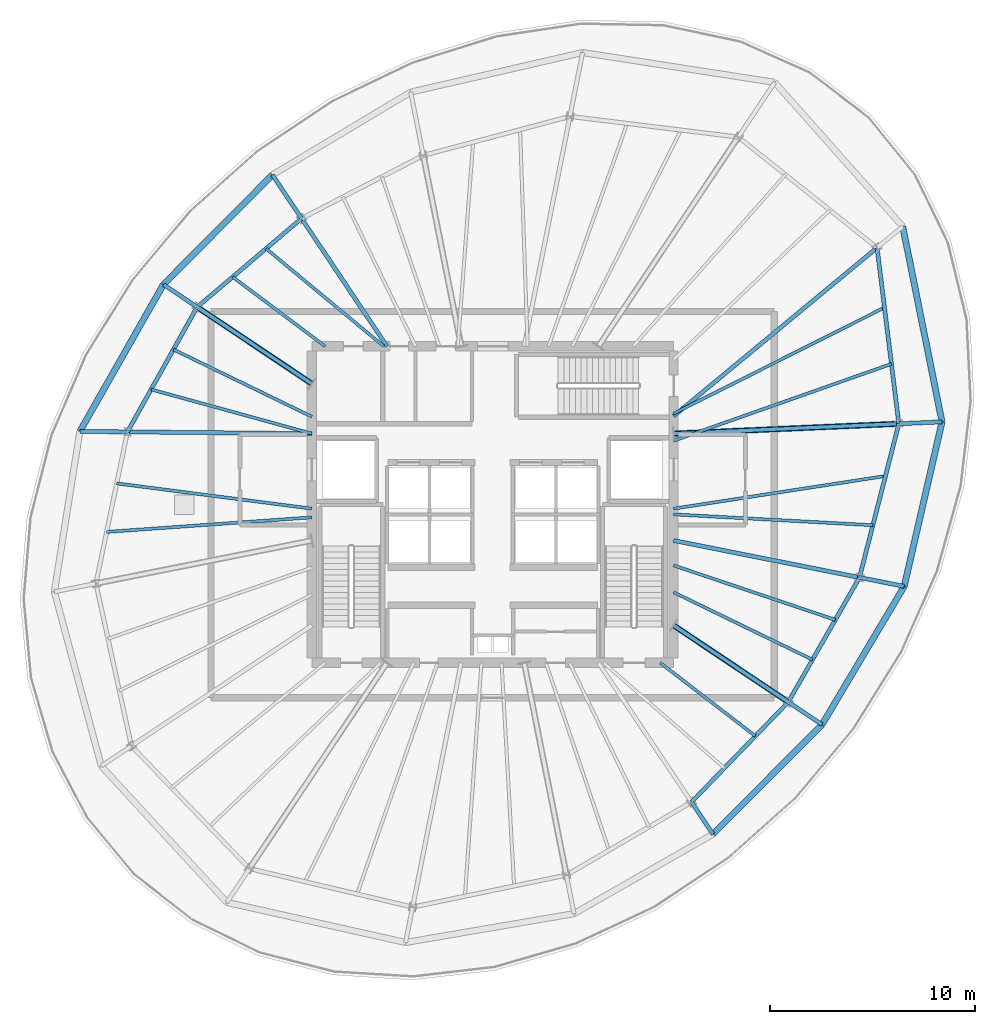
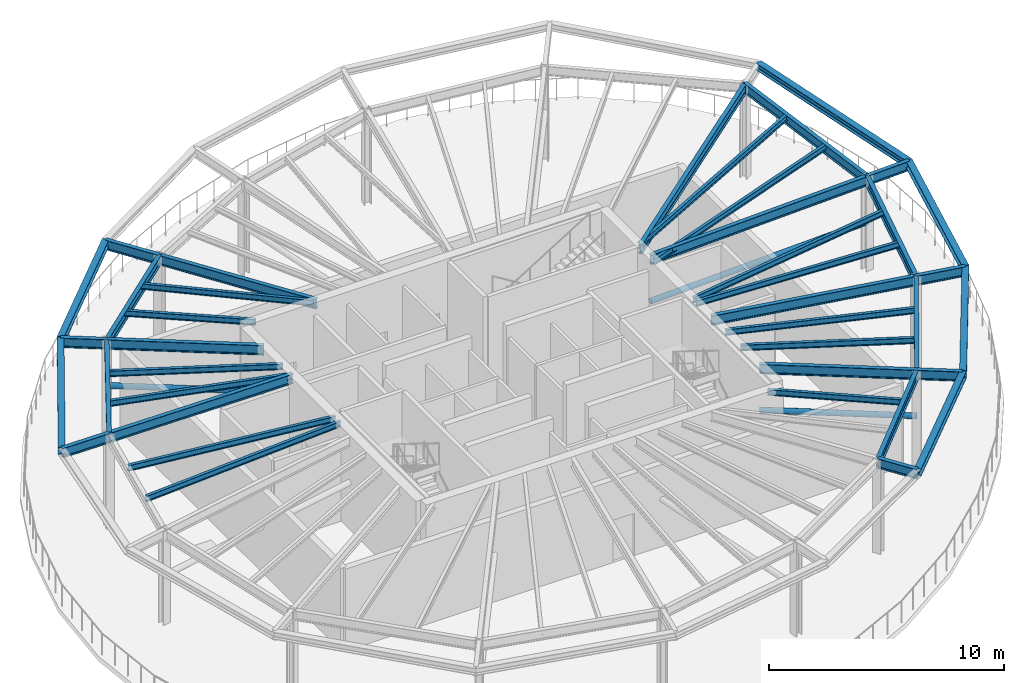
# One storey, part 2 of 8: 39 beams, 3 members.
"""IFC4 building model written with IfcOpenShell, lengths in metres."""

from ifc_helpers import new_model, si_unit, direction, frame, origin, origin_2d, place, context, subcontext, project, spatial, hollow_circle, i_section, extrude, source, transform, mapped, material, material_profile, profile_set, type_object, element, save


model = new_model("IFC4")

# Units and contexts
model_context = context("Model", 3, precision=1e-05, world=origin(), true_north=direction((0.0, 1.0)))
body_context = subcontext(model_context, "Body", "Model", "MODEL_VIEW")
ifc_project = project(units=[si_unit("LENGTHUNIT", "METRE"), si_unit("AREAUNIT", "SQUARE_METRE"), si_unit("VOLUMEUNIT", "CUBIC_METRE"), si_unit("PLANEANGLEUNIT", "RADIAN"), si_unit("MASSUNIT", "GRAM", prefix="KILO"), si_unit("THERMODYNAMICTEMPERATUREUNIT", "KELVIN")], contexts=[model_context])

# Site, building, storey
site_placement = place(None, origin())
site = spatial("IfcSite", under=ifc_project, at=site_placement, CompositionType="ELEMENT")
building_placement = place(site_placement, origin())
building = spatial("IfcBuilding", under=site, at=building_placement, Name="Kethvar Cultural Tower", CompositionType="ELEMENT")
storey_placement = place(building_placement, frame((0.0, 0.0, 218.39990234375)))
storey = spatial("IfcBuildingStorey", under=building, at=storey_placement, Name="L57", CompositionType="ELEMENT", Elevation=218.39990234375)

# Beams
ifc_material = material(Name="Steel S355J2", Category="steel")
ifc_material_profile_1 = material_profile(ifc_material, i_section(OverallWidth=0.199951171875, OverallDepth=0.5, WebThickness=0.01025390625, FlangeThickness=0.01611328125, FilletRadius=0.02099609375, at=origin_2d()), Name="Steel S355J2 — IPE500")
ifc_profile_set_1 = profile_set([ifc_material_profile_1], Name="Steel S355J2 — IPE500")
beam_type_1 = type_object("IfcBeamType", Name="BM-IPE500", PredefinedType="BEAM", material=ifc_profile_set_1)
shared_shape_1 = source(origin(), body_context, "Body", "SweptSolid", [
    extrude(i_section(OverallWidth=0.199951171875, OverallDepth=0.5, WebThickness=0.01025390625, FlangeThickness=0.01611328125, FilletRadius=0.02099609375, at=origin_2d()), origin(), (0.0, 0.0, 1.0), 10.974365234375),
])
beam_1_placement = place(storey_placement, frame((55.60009765625, 31.25, 4.63818359375), z_axis=(0.999038235064, 0.043847518511, 0.0), x_axis=(-0.043847518511, 0.999038235064, 0.0)))
element("IfcBeam", 1, at=beam_1_placement, inside=storey, type_object=beam_type_1, Name="L57 Primary Radial Beam RB-01", PredefinedType="BEAM", context=body_context, shape_type="MappedRepresentation", body=[
    mapped(shared_shape_1, transform((0.0, 0.0, 0.0), scale=1.0)),
])
shared_shape_2 = source(origin(), body_context, "Body", "SweptSolid", [
    extrude(i_section(OverallWidth=0.199951171875, OverallDepth=0.5, WebThickness=0.01025390625, FlangeThickness=0.01611328125, FilletRadius=0.02099609375, at=origin_2d()), origin(), (0.0, 0.0, 1.0), 12.8564453125),
])
beam_2_placement = place(storey_placement, frame((55.60009765625, 32.10009765625, 4.63818359375), z_axis=(0.770354115625, 0.637616292561, 0.0), x_axis=(-0.637616292561, 0.770354115625, 0.0)))
element("IfcBeam", 2, at=beam_2_placement, inside=storey, type_object=beam_type_1, Name="L57 Primary Radial Beam RB-02", PredefinedType="BEAM", context=body_context, shape_type="MappedRepresentation", body=[
    mapped(shared_shape_2, transform((0.0, 0.0, 0.0), scale=1.0)),
])
shared_shape_3 = source(origin(), body_context, "Body", "SweptSolid", [
    extrude(i_section(OverallWidth=0.199951171875, OverallDepth=0.5, WebThickness=0.01025390625, FlangeThickness=0.01611328125, FilletRadius=0.02099609375, at=origin_2d()), origin(), (0.0, 0.0, 1.0), 7.481201171875),
])
beam_3_placement = place(storey_placement, frame((41.655029296875, 35.5, 4.63818359375), z_axis=(-0.55555842186, 0.831477504146, 0.0), x_axis=(-0.831477504146, -0.55555842186, 0.0)))
element("IfcBeam", 3, at=beam_3_placement, inside=storey, type_object=beam_type_1, Name="L57 Primary Radial Beam RB-06", PredefinedType="BEAM", context=body_context, shape_type="MappedRepresentation", body=[
    mapped(shared_shape_3, transform((0.0, 0.0, 0.0), scale=1.0)),
])
shared_shape_4 = source(origin(), body_context, "Body", "SweptSolid", [
    extrude(i_section(OverallWidth=0.199951171875, OverallDepth=0.5, WebThickness=0.01025390625, FlangeThickness=0.01611328125, FilletRadius=0.02099609375, at=origin_2d()), origin(), (0.0, 0.0, 1.0), 6.713134765625),
])
beam_4_placement = place(storey_placement, frame((38.0, 33.679931640625, 4.63818359375), z_axis=(-0.831479157792, 0.55555594692, 0.0), x_axis=(-0.55555594692, -0.831479157792, 0.0)))
element("IfcBeam", 4, at=beam_4_placement, inside=storey, type_object=beam_type_1, Name="L57 Primary Radial Beam RB-07", PredefinedType="BEAM", context=body_context, shape_type="MappedRepresentation", body=[
    mapped(shared_shape_4, transform((0.0, 0.0, 0.0), scale=1.0)),
])
shared_shape_5 = source(origin(), body_context, "Body", "SweptSolid", [
    extrude(i_section(OverallWidth=0.199951171875, OverallDepth=0.5, WebThickness=0.01025390625, FlangeThickness=0.01611328125, FilletRadius=0.02099609375, at=origin_2d()), origin(), (0.0, 0.0, 1.0), 8.9755859375),
])
beam_5_placement = place(storey_placement, frame((38.0, 31.25, 4.63818359375), z_axis=(-0.999954421893, 0.00954746755, 0.0), x_axis=(-0.00954746755, -0.999954421893, 0.0)))
element("IfcBeam", 5, at=beam_5_placement, inside=storey, type_object=beam_type_1, Name="L57 Primary Radial Beam RB-08", PredefinedType="BEAM", context=body_context, shape_type="MappedRepresentation", body=[
    mapped(shared_shape_5, transform((0.0, 0.0, 0.0), scale=1.0)),
])
shared_shape_6 = source(origin(), body_context, "Body", "SweptSolid", [
    extrude(i_section(OverallWidth=0.199951171875, OverallDepth=0.5, WebThickness=0.01025390625, FlangeThickness=0.01611328125, FilletRadius=0.02099609375, at=origin_2d()), origin(), (0.0, 0.0, 1.0), 6.7138671875),
])
beam_6_placement = place(storey_placement, frame((55.60009765625, 21.919921875, 4.63818359375), z_axis=(0.831479232731, -0.555555834762, 0.0), x_axis=(0.555555834762, 0.831479232731, 0.0)))
element("IfcBeam", 6, at=beam_6_placement, inside=storey, type_object=beam_type_1, Name="L57 Primary Radial Beam RB-15", PredefinedType="BEAM", context=body_context, shape_type="MappedRepresentation", body=[
    mapped(shared_shape_6, transform((0.0, 0.0, 0.0), scale=1.0)),
])
shared_shape_7 = source(origin(), body_context, "Body", "SweptSolid", [
    extrude(i_section(OverallWidth=0.199951171875, OverallDepth=0.5, WebThickness=0.01025390625, FlangeThickness=0.01611328125, FilletRadius=0.02099609375, at=origin_2d()), origin(), (0.0, 0.0, 1.0), 9.225830078125),
])
beam_7_placement = place(storey_placement, frame((55.60009765625, 26.049560546875, 4.63818359375), z_axis=(0.980786744069, -0.195082963529, 0.0), x_axis=(0.195082963529, 0.980786744069, 0.0)))
element("IfcBeam", 7, at=beam_7_placement, inside=storey, type_object=beam_type_1, Name="L57 Primary Radial Beam RB-16", PredefinedType="BEAM", context=body_context, shape_type="MappedRepresentation", body=[
    mapped(shared_shape_7, transform((0.0, 0.0, 0.0), scale=1.0)),
])
shared_shape_8 = source(origin(), body_context, "Body", "SweptSolid", [
    extrude(i_section(OverallWidth=0.199951171875, OverallDepth=0.5, WebThickness=0.01025390625, FlangeThickness=0.01611328125, FilletRadius=0.02099609375, at=origin_2d()), origin(), (0.0, 0.0, 1.0), 8.6318359375),
])
beam_8_placement = place(storey_placement, frame((66.56396484375, 31.731201171875, 4.63818359375), z_axis=(-0.122781430908, 0.992433735936, 0.0), x_axis=(-0.992433735936, -0.122781430908, 0.0)))
element("IfcBeam", 8, at=beam_8_placement, inside=storey, type_object=beam_type_1, Name="L57 Column Ring Tie Beam CR-01", PredefinedType="BEAM", context=body_context, shape_type="MappedRepresentation", body=[
    mapped(shared_shape_8, transform((0.0, 0.0, 0.0), scale=1.0)),
])
ifc_material_profile_2 = material_profile(ifc_material, i_section(OverallWidth=0.14990234375, OverallDepth=0.300048828125, WebThickness=0.007080078125, FlangeThickness=0.0107421875, FilletRadius=0.014892578125, at=origin_2d()), Name="Steel S355J2 — IPE300")
ifc_profile_set_2 = profile_set([ifc_material_profile_2], Name="Steel S355J2 — IPE300")
beam_type_2 = type_object("IfcBeamType", Name="BM-J300", PredefinedType="JOIST", material=ifc_profile_set_2)
shared_shape_9 = source(origin(), body_context, "Body", "SweptSolid", [
    extrude(i_section(OverallWidth=0.14990234375, OverallDepth=0.300048828125, WebThickness=0.007080078125, FlangeThickness=0.0107421875, FilletRadius=0.014892578125, at=origin_2d()), origin(), (0.0, 0.0, 1.0), 11.24365234375),
])
beam_9_placement = place(storey_placement, frame((55.60009765625, 30.90380859375, 4.738037109375), z_axis=(0.943058059975, 0.332628164044, 0.0), x_axis=(-0.332628164044, 0.943058059975, 0.0)))
element("IfcBeam", 9, at=beam_9_placement, inside=storey, type_object=beam_type_2, Name="L57 Composite Floor Joist J-01A", PredefinedType="JOIST", context=body_context, shape_type="MappedRepresentation", body=[
    mapped(shared_shape_9, transform((0.0, 0.0, 0.0), scale=1.0)),
])
shared_shape_10 = source(origin(), body_context, "Body", "SweptSolid", [
    extrude(i_section(OverallWidth=0.14990234375, OverallDepth=0.300048828125, WebThickness=0.007080078125, FlangeThickness=0.0107421875, FilletRadius=0.014892578125, at=origin_2d()), origin(), (0.0, 0.0, 1.0), 11.48876953125),
])
beam_10_placement = place(storey_placement, frame((55.60009765625, 32.224365234375, 4.738037109375), z_axis=(0.893434724969, 0.449193045605, 0.0), x_axis=(-0.449193045605, 0.893434724969, 0.0)))
element("IfcBeam", 10, at=beam_10_placement, inside=storey, type_object=beam_type_2, Name="L57 Composite Floor Joist J-01B", PredefinedType="JOIST", context=body_context, shape_type="MappedRepresentation", body=[
    mapped(shared_shape_10, transform((0.0, 0.0, 0.0), scale=1.0)),
])
shared_shape_11 = source(origin(), body_context, "Body", "SweptSolid", [
    extrude(i_section(OverallWidth=0.199951171875, OverallDepth=0.5, WebThickness=0.01025390625, FlangeThickness=0.01611328125, FilletRadius=0.02099609375, at=origin_2d()), origin(), (0.0, 0.0, 1.0), 6.6630859375),
])
beam_11_placement = place(storey_placement, frame((37.498779296875, 41.720458984375, 4.63818359375), z_axis=(-0.762490511547, -0.646999397064, 0.0), x_axis=(0.646999397064, -0.762490511547, 0.0)))
element("IfcBeam", 11, at=beam_11_placement, inside=storey, type_object=beam_type_1, Name="L57 Column Ring Tie Beam CR-06", PredefinedType="BEAM", context=body_context, shape_type="MappedRepresentation", body=[
    mapped(shared_shape_11, transform((0.0, 0.0, 0.0), scale=1.0)),
])
shared_shape_12 = source(origin(), body_context, "Body", "SweptSolid", [
    extrude(i_section(OverallWidth=0.14990234375, OverallDepth=0.300048828125, WebThickness=0.007080078125, FlangeThickness=0.0107421875, FilletRadius=0.014892578125, at=origin_2d()), origin(), (0.0, 0.0, 1.0), 7.444580078125),
])
beam_12_placement = place(storey_placement, frame((41.5, 35.5, 4.738037109375), z_axis=(-0.769483166858, 0.638667093188, 0.0), x_axis=(-0.638667093188, -0.769483166858, 0.0)))
element("IfcBeam", 12, at=beam_12_placement, inside=storey, type_object=beam_type_2, Name="L57 Composite Floor Joist J-06A", PredefinedType="JOIST", context=body_context, shape_type="MappedRepresentation", body=[
    mapped(shared_shape_12, transform((0.0, 0.0, 0.0), scale=1.0)),
])
shared_shape_13 = source(origin(), body_context, "Body", "SweptSolid", [
    extrude(i_section(OverallWidth=0.14990234375, OverallDepth=0.300048828125, WebThickness=0.007080078125, FlangeThickness=0.0107421875, FilletRadius=0.014892578125, at=origin_2d()), origin(), (0.0, 0.0, 1.0), 5.628662109375),
])
beam_13_placement = place(storey_placement, frame((38.64990234375, 35.5, 4.738037109375), z_axis=(-0.800260171956, 0.599652947279, 0.0), x_axis=(-0.599652947279, -0.800260171956, 0.0)))
element("IfcBeam", 13, at=beam_13_placement, inside=storey, type_object=beam_type_2, Name="L57 Composite Floor Joist J-06B", PredefinedType="JOIST", context=body_context, shape_type="MappedRepresentation", body=[
    mapped(shared_shape_13, transform((0.0, 0.0, 0.0), scale=1.0)),
])
shared_shape_14 = source(origin(), body_context, "Body", "SweptSolid", [
    extrude(i_section(OverallWidth=0.199951171875, OverallDepth=0.5, WebThickness=0.01025390625, FlangeThickness=0.01611328125, FilletRadius=0.02099609375, at=origin_2d()), origin(), (0.0, 0.0, 1.0), 6.957275390625),
])
beam_14_placement = place(storey_placement, frame((32.418212890625, 37.409423828125, 4.63818359375), z_axis=(-0.487730122968, -0.872994459976, 0.0), x_axis=(0.872994459976, -0.487730122968, 0.0)))
element("IfcBeam", 14, at=beam_14_placement, inside=storey, type_object=beam_type_1, Name="L57 Column Ring Tie Beam CR-07", PredefinedType="BEAM", context=body_context, shape_type="MappedRepresentation", body=[
    mapped(shared_shape_14, transform((0.0, 0.0, 0.0), scale=1.0)),
])
shared_shape_15 = source(origin(), body_context, "Body", "SweptSolid", [
    extrude(i_section(OverallWidth=0.14990234375, OverallDepth=0.300048828125, WebThickness=0.007080078125, FlangeThickness=0.0107421875, FilletRadius=0.014892578125, at=origin_2d()), origin(), (0.0, 0.0, 1.0), 7.48779296875),
])
beam_15_placement = place(storey_placement, frame((38.0, 32.073486328125, 4.738037109375), z_axis=(-0.8995385432, 0.436841400623, 0.0), x_axis=(-0.436841400623, -0.8995385432, 0.0)))
element("IfcBeam", 15, at=beam_15_placement, inside=storey, type_object=beam_type_2, Name="L57 Composite Floor Joist J-07A", PredefinedType="JOIST", context=body_context, shape_type="MappedRepresentation", body=[
    mapped(shared_shape_15, transform((0.0, 0.0, 0.0), scale=1.0)),
])
shared_shape_16 = source(origin(), body_context, "Body", "SweptSolid", [
    extrude(i_section(OverallWidth=0.14990234375, OverallDepth=0.300048828125, WebThickness=0.007080078125, FlangeThickness=0.0107421875, FilletRadius=0.014892578125, at=origin_2d()), origin(), (0.0, 0.0, 1.0), 8.111572265625),
])
beam_16_placement = place(storey_placement, frame((38.0, 31.25, 4.738037109375), z_axis=(-0.96420462331, 0.265159281164, 0.0), x_axis=(-0.265159281164, -0.96420462331, 0.0)))
element("IfcBeam", 16, at=beam_16_placement, inside=storey, type_object=beam_type_2, Name="L57 Composite Floor Joist J-07B", PredefinedType="JOIST", context=body_context, shape_type="MappedRepresentation", body=[
    mapped(shared_shape_16, transform((0.0, 0.0, 0.0), scale=1.0)),
])
shared_shape_17 = source(origin(), body_context, "Body", "SweptSolid", [
    extrude(i_section(OverallWidth=0.14990234375, OverallDepth=0.300048828125, WebThickness=0.007080078125, FlangeThickness=0.0107421875, FilletRadius=0.014892578125, at=origin_2d()), origin(), (0.0, 0.0, 1.0), 9.5751953125),
])
beam_17_placement = place(storey_placement, frame((38.0, 27.60009765625, 4.738037109375), z_axis=(-0.991744950922, 0.128226176424, 0.0), x_axis=(-0.128226176424, -0.991744950922, 0.0)))
element("IfcBeam", 17, at=beam_17_placement, inside=storey, type_object=beam_type_2, Name="L57 Composite Floor Joist J-08A", PredefinedType="JOIST", context=body_context, shape_type="MappedRepresentation", body=[
    mapped(shared_shape_17, transform((0.0, 0.0, 0.0), scale=1.0)),
])
shared_shape_18 = source(origin(), body_context, "Body", "SweptSolid", [
    extrude(i_section(OverallWidth=0.14990234375, OverallDepth=0.300048828125, WebThickness=0.007080078125, FlangeThickness=0.0107421875, FilletRadius=0.014892578125, at=origin_2d()), origin(), (0.0, 0.0, 1.0), 10.01123046875),
])
beam_18_placement = place(storey_placement, frame((38.0, 27.17578125, 4.738037109375), z_axis=(-0.997494349679, -0.070746182637, 0.0), x_axis=(0.070746182637, -0.997494349679, 0.0)))
element("IfcBeam", 18, at=beam_18_placement, inside=storey, type_object=beam_type_2, Name="L57 Composite Floor Joist J-08B", PredefinedType="JOIST", context=body_context, shape_type="MappedRepresentation", body=[
    mapped(shared_shape_18, transform((0.0, 0.0, 0.0), scale=1.0)),
])
shared_shape_19 = source(origin(), body_context, "Body", "SweptSolid", [
    extrude(i_section(OverallWidth=0.199951171875, OverallDepth=0.5, WebThickness=0.01025390625, FlangeThickness=0.01611328125, FilletRadius=0.02099609375, at=origin_2d()), origin(), (0.0, 0.0, 1.0), 6.77294921875),
])
beam_19_placement = place(storey_placement, frame((56.474609375, 13.32080078125, 4.63818359375), z_axis=(0.695111533644, 0.718901909717, 0.0), x_axis=(-0.718901909717, 0.695111533644, 0.0)))
element("IfcBeam", 19, at=beam_19_placement, inside=storey, type_object=beam_type_1, Name="L57 Column Ring Tie Beam CR-14", PredefinedType="BEAM", context=body_context, shape_type="MappedRepresentation", body=[
    mapped(shared_shape_19, transform((0.0, 0.0, 0.0), scale=1.0)),
])
shared_shape_20 = source(origin(), body_context, "Body", "SweptSolid", [
    extrude(i_section(OverallWidth=0.14990234375, OverallDepth=0.300048828125, WebThickness=0.007080078125, FlangeThickness=0.0107421875, FilletRadius=0.014892578125, at=origin_2d()), origin(), (0.0, 0.0, 1.0), 5.84521484375),
])
beam_20_placement = place(storey_placement, frame((54.949951171875, 20.10009765625, 4.738037109375), z_axis=(0.792398798307, -0.610003397073, 0.0), x_axis=(0.610003397073, 0.792398798307, 0.0)))
element("IfcBeam", 20, at=beam_20_placement, inside=storey, type_object=beam_type_2, Name="L57 Composite Floor Joist J-14B", PredefinedType="JOIST", context=body_context, shape_type="MappedRepresentation", body=[
    mapped(shared_shape_20, transform((0.0, 0.0, 0.0), scale=1.0)),
])
shared_shape_21 = source(origin(), body_context, "Body", "SweptSolid", [
    extrude(i_section(OverallWidth=0.199951171875, OverallDepth=0.5, WebThickness=0.01025390625, FlangeThickness=0.01611328125, FilletRadius=0.02099609375, at=origin_2d()), origin(), (0.0, 0.0, 1.0), 6.98095703125),
])
beam_21_placement = place(storey_placement, frame((61.1826171875, 18.18994140625, 4.63818359375), z_axis=(0.496496686118, 0.868038617041, 0.0), x_axis=(-0.868038617041, 0.496496686118, 0.0)))
element("IfcBeam", 21, at=beam_21_placement, inside=storey, type_object=beam_type_1, Name="L57 Column Ring Tie Beam CR-15", PredefinedType="BEAM", context=body_context, shape_type="MappedRepresentation", body=[
    mapped(shared_shape_21, transform((0.0, 0.0, 0.0), scale=1.0)),
])
shared_shape_22 = source(origin(), body_context, "Body", "SweptSolid", [
    extrude(i_section(OverallWidth=0.14990234375, OverallDepth=0.300048828125, WebThickness=0.007080078125, FlangeThickness=0.0107421875, FilletRadius=0.014892578125, at=origin_2d()), origin(), (0.0, 0.0, 1.0), 7.5146484375),
])
beam_22_placement = place(storey_placement, frame((55.60009765625, 23.530517578125, 4.738037109375), z_axis=(0.899698132091, -0.436512624229, 0.0), x_axis=(0.436512624229, 0.899698132091, 0.0)))
element("IfcBeam", 22, at=beam_22_placement, inside=storey, type_object=beam_type_2, Name="L57 Composite Floor Joist J-15A", PredefinedType="JOIST", context=body_context, shape_type="MappedRepresentation", body=[
    mapped(shared_shape_22, transform((0.0, 0.0, 0.0), scale=1.0)),
])
shared_shape_23 = source(origin(), body_context, "Body", "SweptSolid", [
    extrude(i_section(OverallWidth=0.14990234375, OverallDepth=0.300048828125, WebThickness=0.007080078125, FlangeThickness=0.0107421875, FilletRadius=0.014892578125, at=origin_2d()), origin(), (0.0, 0.0, 1.0), 8.303955078125),
])
beam_23_placement = place(storey_placement, frame((55.60009765625, 24.838134765625, 4.738037109375), z_axis=(0.94776496661, -0.318969540971, 0.0), x_axis=(0.318969540971, 0.94776496661, 0.0)))
element("IfcBeam", 23, at=beam_23_placement, inside=storey, type_object=beam_type_2, Name="L57 Composite Floor Joist J-15B", PredefinedType="JOIST", context=body_context, shape_type="MappedRepresentation", body=[
    mapped(shared_shape_23, transform((0.0, 0.0, 0.0), scale=1.0)),
])
shared_shape_24 = source(origin(), body_context, "Body", "SweptSolid", [
    extrude(i_section(OverallWidth=0.199951171875, OverallDepth=0.5, WebThickness=0.01025390625, FlangeThickness=0.01611328125, FilletRadius=0.02099609375, at=origin_2d()), origin(), (0.0, 0.0, 1.0), 7.72265625),
])
beam_24_placement = place(storey_placement, frame((64.648681640625, 24.249755859375, 4.63818359375), z_axis=(0.248006445258, 0.968758382214, 0.0), x_axis=(-0.968758382214, 0.248006445258, 0.0)))
element("IfcBeam", 24, at=beam_24_placement, inside=storey, type_object=beam_type_1, Name="L57 Column Ring Tie Beam CR-16", PredefinedType="BEAM", context=body_context, shape_type="MappedRepresentation", body=[
    mapped(shared_shape_24, transform((0.0, 0.0, 0.0), scale=1.0)),
])
shared_shape_25 = source(origin(), body_context, "Body", "SweptSolid", [
    extrude(i_section(OverallWidth=0.14990234375, OverallDepth=0.300048828125, WebThickness=0.007080078125, FlangeThickness=0.0107421875, FilletRadius=0.014892578125, at=origin_2d()), origin(), (0.0, 0.0, 1.0), 9.714111328125),
])
beam_25_placement = place(storey_placement, frame((55.60009765625, 27.3212890625, 4.738037109375), z_axis=(0.998522658081, -0.054336923906, 0.0), x_axis=(0.054336923906, 0.998522658081, 0.0)))
element("IfcBeam", 25, at=beam_25_placement, inside=storey, type_object=beam_type_2, Name="L57 Composite Floor Joist J-16A", PredefinedType="JOIST", context=body_context, shape_type="MappedRepresentation", body=[
    mapped(shared_shape_25, transform((0.0, 0.0, 0.0), scale=1.0)),
])
shared_shape_26 = source(origin(), body_context, "Body", "SweptSolid", [
    extrude(i_section(OverallWidth=0.14990234375, OverallDepth=0.300048828125, WebThickness=0.007080078125, FlangeThickness=0.0107421875, FilletRadius=0.014892578125, at=origin_2d()), origin(), (0.0, 0.0, 1.0), 10.43408203125),
])
beam_26_placement = place(storey_placement, frame((55.60009765625, 27.60009765625, 4.738037109375), z_axis=(0.988359792691, 0.152134546343, 0.0), x_axis=(-0.152134546343, 0.988359792691, 0.0)))
element("IfcBeam", 26, at=beam_26_placement, inside=storey, type_object=beam_type_2, Name="L57 Composite Floor Joist J-16B", PredefinedType="JOIST", context=body_context, shape_type="MappedRepresentation", body=[
    mapped(shared_shape_26, transform((0.0, 0.0, 0.0), scale=1.0)),
])
shared_shape_27 = source(origin(), body_context, "Body", "SweptSolid", [
    extrude(i_section(OverallWidth=0.199951171875, OverallDepth=0.5, WebThickness=0.01025390625, FlangeThickness=0.01611328125, FilletRadius=0.02099609375, at=origin_2d()), origin(), (0.0, 0.0, 1.0), 2.10302734375),
])
beam_27_placement = place(storey_placement, frame((66.56396484375, 31.731201171875, 4.63818359375), z_axis=(0.999036785328, 0.043880537399, 0.0), x_axis=(-0.043880537399, 0.999036785328, 0.0)))
element("IfcBeam", 27, at=beam_27_placement, inside=storey, type_object=beam_type_1, Name="L57 Perimeter Cantilever Beam RC-01", PredefinedType="BEAM", context=body_context, shape_type="MappedRepresentation", body=[
    mapped(shared_shape_27, transform((0.0, 0.0, 0.0), scale=1.0)),
])
shared_shape_28 = source(origin(), body_context, "Body", "SweptSolid", [
    extrude(i_section(OverallWidth=0.199951171875, OverallDepth=0.5, WebThickness=0.01025390625, FlangeThickness=0.01611328125, FilletRadius=0.02099609375, at=origin_2d()), origin(), (0.0, 0.0, 1.0), 2.55322265625),
])
beam_28_placement = place(storey_placement, frame((37.498779296875, 41.720458984375, 4.63818359375), z_axis=(-0.555648681633, 0.831417189262, 0.0), x_axis=(-0.831417189262, -0.555648681633, 0.0)))
element("IfcBeam", 28, at=beam_28_placement, inside=storey, type_object=beam_type_1, Name="L57 Perimeter Cantilever Beam RC-06", PredefinedType="BEAM", context=body_context, shape_type="MappedRepresentation", body=[
    mapped(shared_shape_28, transform((0.0, 0.0, 0.0), scale=1.0)),
])
shared_shape_29 = source(origin(), body_context, "Body", "SweptSolid", [
    extrude(i_section(OverallWidth=0.199951171875, OverallDepth=0.5, WebThickness=0.01025390625, FlangeThickness=0.01611328125, FilletRadius=0.02099609375, at=origin_2d()), origin(), (0.0, 0.0, 1.0), 1.974609375),
])
beam_29_placement = place(storey_placement, frame((32.418212890625, 37.409423828125, 4.63818359375), z_axis=(-0.831441131924, 0.555612854553, 0.0), x_axis=(-0.555612854553, -0.831441131924, 0.0)))
element("IfcBeam", 29, at=beam_29_placement, inside=storey, type_object=beam_type_1, Name="L57 Perimeter Cantilever Beam RC-07", PredefinedType="BEAM", context=body_context, shape_type="MappedRepresentation", body=[
    mapped(shared_shape_29, transform((0.0, 0.0, 0.0), scale=1.0)),
])
shared_shape_30 = source(origin(), body_context, "Body", "SweptSolid", [
    extrude(i_section(OverallWidth=0.199951171875, OverallDepth=0.5, WebThickness=0.01025390625, FlangeThickness=0.01611328125, FilletRadius=0.02099609375, at=origin_2d()), origin(), (0.0, 0.0, 1.0), 2.315185546875),
])
beam_30_placement = place(storey_placement, frame((29.02490234375, 31.335693359375, 4.63818359375), z_axis=(-0.999953960426, 0.00959567757, 0.0), x_axis=(-0.00959567757, -0.999953960426, 0.0)))
element("IfcBeam", 30, at=beam_30_placement, inside=storey, type_object=beam_type_1, Name="L57 Perimeter Cantilever Beam RC-08", PredefinedType="BEAM", context=body_context, shape_type="MappedRepresentation", body=[
    mapped(shared_shape_30, transform((0.0, 0.0, 0.0), scale=1.0)),
])
shared_shape_31 = source(origin(), body_context, "Body", "SweptSolid", [
    extrude(i_section(OverallWidth=0.199951171875, OverallDepth=0.5, WebThickness=0.01025390625, FlangeThickness=0.01611328125, FilletRadius=0.02099609375, at=origin_2d()), origin(), (0.0, 0.0, 1.0), 1.87646484375),
])
beam_31_placement = place(storey_placement, frame((56.474609375, 13.32080078125, 4.63818359375), z_axis=(0.555540579804, -0.831489425183, 0.0), x_axis=(0.831489425183, 0.555540579804, 0.0)))
element("IfcBeam", 31, at=beam_31_placement, inside=storey, type_object=beam_type_1, Name="L57 Perimeter Cantilever Beam RC-14", PredefinedType="BEAM", context=body_context, shape_type="MappedRepresentation", body=[
    mapped(shared_shape_31, transform((0.0, 0.0, 0.0), scale=1.0)),
])
shared_shape_32 = source(origin(), body_context, "Body", "SweptSolid", [
    extrude(i_section(OverallWidth=0.199951171875, OverallDepth=0.5, WebThickness=0.01025390625, FlangeThickness=0.01611328125, FilletRadius=0.02099609375, at=origin_2d()), origin(), (0.0, 0.0, 1.0), 1.97705078125),
])
beam_32_placement = place(storey_placement, frame((61.1826171875, 18.18994140625, 4.63818359375), z_axis=(0.831460871124, -0.555583314895, 0.0), x_axis=(0.555583314895, 0.831460871124, 0.0)))
element("IfcBeam", 32, at=beam_32_placement, inside=storey, type_object=beam_type_1, Name="L57 Perimeter Cantilever Beam RC-15", PredefinedType="BEAM", context=body_context, shape_type="MappedRepresentation", body=[
    mapped(shared_shape_32, transform((0.0, 0.0, 0.0), scale=1.0)),
])
shared_shape_33 = source(origin(), body_context, "Body", "SweptSolid", [
    extrude(i_section(OverallWidth=0.199951171875, OverallDepth=0.5, WebThickness=0.01025390625, FlangeThickness=0.01611328125, FilletRadius=0.02099609375, at=origin_2d()), origin(), (0.0, 0.0, 1.0), 2.218017578125),
])
beam_33_placement = place(storey_placement, frame((64.648681640625, 24.249755859375, 4.63818359375), z_axis=(0.980770727911, -0.195163468079, 0.0), x_axis=(0.195163468079, 0.980770727911, 0.0)))
element("IfcBeam", 33, at=beam_33_placement, inside=storey, type_object=beam_type_1, Name="L57 Perimeter Cantilever Beam RC-16", PredefinedType="BEAM", context=body_context, shape_type="MappedRepresentation", body=[
    mapped(shared_shape_33, transform((0.0, 0.0, 0.0), scale=1.0)),
])
ifc_material_profile_3 = material_profile(ifc_material, i_section(OverallWidth=0.300048828125, OverallDepth=0.360107421875, WebThickness=0.012451171875, FlangeThickness=0.0224609375, FilletRadius=0.027099609375, at=origin_2d()), Name="Steel S355J2 — HEB360")
ifc_profile_set_3 = profile_set([ifc_material_profile_3], Name="Steel S355J2 — HEB360")
beam_type_3 = type_object("IfcBeamType", Name="BM-SP360", PredefinedType="SPANDREL", material=ifc_profile_set_3)
shared_shape_34 = source(origin(), body_context, "Body", "SweptSolid", [
    extrude(i_section(OverallWidth=0.300048828125, OverallDepth=0.360107421875, WebThickness=0.012451171875, FlangeThickness=0.0224609375, FilletRadius=0.027099609375, at=origin_2d()), origin(), (0.0, 0.0, 1.0), 9.69775390625),
])
beam_34_placement = place(storey_placement, frame((68.6650390625, 31.823486328125, 4.7080078125), z_axis=(-0.197244027031, 0.980354422544, 0.0), x_axis=(-0.980354422544, -0.197244027031, 0.0)))
element("IfcBeam", 34, at=beam_34_placement, inside=storey, type_object=beam_type_3, Name="L57 Perimeter Spandrel Beam SP-01", PredefinedType="SPANDREL", context=body_context, shape_type="MappedRepresentation", body=[
    mapped(shared_shape_34, transform((0.0, 0.0, 0.0), scale=1.0)),
])
shared_shape_35 = source(origin(), body_context, "Body", "SweptSolid", [
    extrude(i_section(OverallWidth=0.300048828125, OverallDepth=0.360107421875, WebThickness=0.012451171875, FlangeThickness=0.0224609375, FilletRadius=0.027099609375, at=origin_2d()), origin(), (0.0, 0.0, 1.0), 7.52392578125),
])
for number, where, z_axis, x_axis, name in (
    (35, (36.080078125, 43.84326171875, 4.7080078125), (-0.704913109318, -0.709293668597, 0.0), (0.709293668597, -0.704913109318, 0.0), "L57 Perimeter Spandrel Beam SP-06"),
    (36, (57.51708984375, 11.760498046875, 4.7080078125), (0.705661340792, 0.708549272889, 0.0), (-0.708549272889, 0.705661340792, 0.0), "L57 Perimeter Spandrel Beam SP-14"),
):
    element("IfcBeam", number, at=place(storey_placement, frame(where, z_axis=z_axis, x_axis=x_axis)), inside=storey, type_object=beam_type_3, Name=name, PredefinedType="SPANDREL", context=body_context, shape_type="MappedRepresentation", body=[
        mapped(shared_shape_35, transform((0.0, 0.0, 0.0), scale=1.0)),
    ])
shared_shape_36 = source(origin(), body_context, "Body", "SweptSolid", [
    extrude(i_section(OverallWidth=0.300048828125, OverallDepth=0.360107421875, WebThickness=0.012451171875, FlangeThickness=0.0224609375, FilletRadius=0.027099609375, at=origin_2d()), origin(), (0.0, 0.0, 1.0), 8.224365234375),
])
beam_35_placement = place(storey_placement, frame((30.7763671875, 38.506591796875, 4.7080078125), z_axis=(-0.494459678622, -0.869200567313, 0.0), x_axis=(0.869200567313, -0.494459678622, 0.0)))
element("IfcBeam", 37, at=beam_35_placement, inside=storey, type_object=beam_type_3, Name="L57 Perimeter Spandrel Beam SP-07", PredefinedType="SPANDREL", context=body_context, shape_type="MappedRepresentation", body=[
    mapped(shared_shape_36, transform((0.0, 0.0, 0.0), scale=1.0)),
])
shared_shape_37 = source(origin(), body_context, "Body", "SweptSolid", [
    extrude(i_section(OverallWidth=0.300048828125, OverallDepth=0.360107421875, WebThickness=0.012451171875, FlangeThickness=0.0224609375, FilletRadius=0.027099609375, at=origin_2d()), origin(), (0.0, 0.0, 1.0), 7.82373046875),
])
beam_36_placement = place(storey_placement, frame((62.826416015625, 17.091552734375, 4.7080078125), z_axis=(0.51095326154, 0.85960849491, 0.0), x_axis=(-0.85960849491, 0.51095326154, 0.0)))
element("IfcBeam", 38, at=beam_36_placement, inside=storey, type_object=beam_type_3, Name="L57 Perimeter Spandrel Beam SP-15", PredefinedType="SPANDREL", context=body_context, shape_type="MappedRepresentation", body=[
    mapped(shared_shape_37, transform((0.0, 0.0, 0.0), scale=1.0)),
])
shared_shape_38 = source(origin(), body_context, "Body", "SweptSolid", [
    extrude(i_section(OverallWidth=0.300048828125, OverallDepth=0.360107421875, WebThickness=0.012451171875, FlangeThickness=0.0224609375, FilletRadius=0.027099609375, at=origin_2d()), origin(), (0.0, 0.0, 1.0), 8.215576171875),
])
beam_37_placement = place(storey_placement, frame((66.823974609375, 23.81689453125, 4.7080078125), z_axis=(0.224095478384, 0.974567194486, 0.0), x_axis=(-0.974567194486, 0.224095478384, 0.0)))
element("IfcBeam", 39, at=beam_37_placement, inside=storey, type_object=beam_type_3, Name="L57 Perimeter Spandrel Beam SP-16", PredefinedType="SPANDREL", context=body_context, shape_type="MappedRepresentation", body=[
    mapped(shared_shape_38, transform((0.0, 0.0, 0.0), scale=1.0)),
])

# Members
ifc_material_profile_4 = material_profile(ifc_material, hollow_circle(Radius=0.136474609375, WallThickness=0.012451171875, at=origin_2d()), Name="Steel S355J2 — CHS273x12.5")
ifc_profile_set_4 = profile_set([ifc_material_profile_4], Name="Steel S355J2 — CHS273x12.5")
member_type = type_object("IfcMemberType", Name="MB-WIND-STR", PredefinedType="STRUT", material=ifc_profile_set_4)
shared_shape_39 = source(origin(), body_context, "Body", "SweptSolid", [
    extrude(hollow_circle(Radius=0.136474609375, WallThickness=0.012451171875, at=origin_2d()), origin(), (0.0, 0.0, 1.0), 10.974365234375),
])
member_1_placement = place(storey_placement, frame((55.60009765625, 31.25, 2.445068359375), z_axis=(0.999038235064, 0.043847518511, 0.0), x_axis=(-0.043847518511, 0.999038235064, 0.0)))
element("IfcMember", 40, at=member_1_placement, inside=storey, type_object=member_type, Name="L57 Wind-Floor Tie Strut WS-01", PredefinedType="STRUT", context=body_context, shape_type="MappedRepresentation", body=[
    mapped(shared_shape_39, transform((0.0, 0.0, 0.0), scale=1.0)),
])
shared_shape_40 = source(origin(), body_context, "Body", "SweptSolid", [
    extrude(hollow_circle(Radius=0.136474609375, WallThickness=0.012451171875, at=origin_2d()), origin(), (0.0, 0.0, 1.0), 6.713134765625),
])
member_2_placement = place(storey_placement, frame((38.0, 33.679931640625, 2.445068359375), z_axis=(-0.831479157792, 0.55555594692, 0.0), x_axis=(-0.55555594692, -0.831479157792, 0.0)))
element("IfcMember", 41, at=member_2_placement, inside=storey, type_object=member_type, Name="L57 Wind-Floor Tie Strut WS-04", PredefinedType="STRUT", context=body_context, shape_type="MappedRepresentation", body=[
    mapped(shared_shape_40, transform((0.0, 0.0, 0.0), scale=1.0)),
])
shared_shape_41 = source(origin(), body_context, "Body", "SweptSolid", [
    extrude(hollow_circle(Radius=0.136474609375, WallThickness=0.012451171875, at=origin_2d()), origin(), (0.0, 0.0, 1.0), 6.7138671875),
])
member_3_placement = place(storey_placement, frame((55.60009765625, 21.919921875, 2.445068359375), z_axis=(0.831479232731, -0.555555834762, 0.0), x_axis=(0.555555834762, 0.831479232731, 0.0)))
element("IfcMember", 42, at=member_3_placement, inside=storey, type_object=member_type, Name="L57 Wind-Floor Tie Strut WS-08", PredefinedType="STRUT", context=body_context, shape_type="MappedRepresentation", body=[
    mapped(shared_shape_41, transform((0.0, 0.0, 0.0), scale=1.0)),
])

save(model, "model.ifc")
